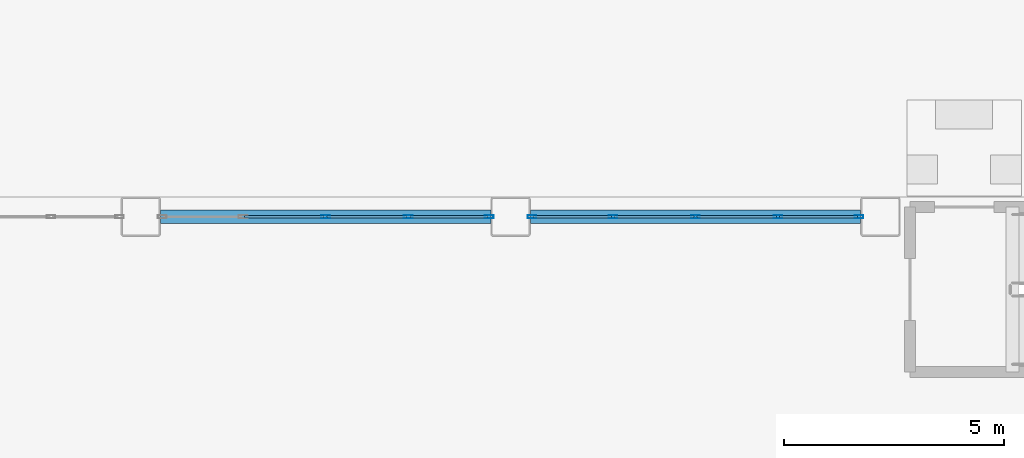
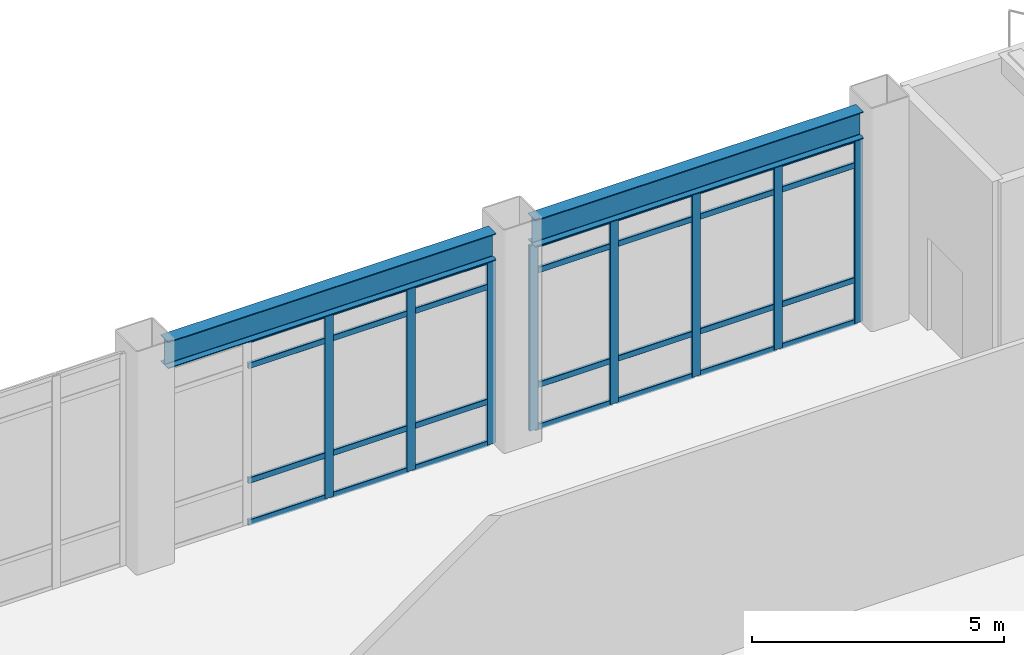
# One storey, part 68 of 165: 36 members, 2 beams, 2 elements without a shape of their own.
"""IFC4 building model written with IfcOpenShell, lengths in metres."""

from ifc_helpers import new_model, si_unit, direction, frame, origin, origin_2d, place, context, subcontext, project, spatial, hollow_rectangle, i_section, extrude, material, layer, layer_set, material_profile, profile_set, type_object, element, aggregate, save


model = new_model("IFC4")

# Units and contexts
model_context = context("Model", 3, precision=1e-05, world=origin(), true_north=direction((0.0, 1.0)))
body_context = subcontext(model_context, "Body", "Model", "MODEL_VIEW")
ifc_project = project(units=[si_unit("LENGTHUNIT", "METRE"), si_unit("AREAUNIT", "SQUARE_METRE"), si_unit("VOLUMEUNIT", "CUBIC_METRE"), si_unit("PLANEANGLEUNIT", "RADIAN"), si_unit("MASSUNIT", "GRAM", prefix="KILO")], contexts=[model_context])

# Site, building, storey
site_placement = place(None, origin())
site = spatial("IfcSite", under=ifc_project, at=site_placement, CompositionType="ELEMENT")
building_placement = place(site_placement, origin())
building = spatial("IfcBuilding", under=site, at=building_placement, Name="Kazehara Bluff Congress Hotel", CompositionType="ELEMENT")
storey_placement = place(building_placement, origin())
storey = spatial("IfcBuildingStorey", under=building, at=storey_placement, Name="L00", CompositionType="ELEMENT", Elevation=0.0)

# Curtain wall, members
ifc_material_1 = material(Name="Anodised aluminium", Category="aluminium")
ifc_layer = layer(ifc_material_1, 0.159912109375)
ifc_layer_set = layer_set([ifc_layer], Name="Anodised aluminium")
curtain_wall_type = type_object("IfcCurtainWallType", Name="TP-CW-05", PredefinedType="NOTDEFINED", material=ifc_layer_set)
curtain_wall_1_placement = place(storey_placement, origin())
curtain_wall_1 = element("IfcCurtainWall", 1, at=curtain_wall_1_placement, inside=storey, type_object=curtain_wall_type, Name="L00 curtain wall CW-05 CW-V1-L00-Y11355-2565", PredefinedType="NOTDEFINED")
ifc_material_2 = material(Name="Anodised aluminium", Category="aluminium")
ifc_material_profile_1 = material_profile(ifc_material_2, hollow_rectangle(XDim=0.070068359375, YDim=0.199951171875, WallThickness=0.0048828125, InnerFilletRadius=0.0048828125, OuterFilletRadius=0.010009765625, at=origin_2d()))
ifc_profile_set_1 = profile_set([ifc_material_profile_1], Name="Anodised aluminium")
member_type_1 = type_object("IfcMemberType", Name="TP-CWM-03", PredefinedType="MULLION", material=ifc_profile_set_1)
member_1_placement = place(storey_placement, frame((29.39990234375, 113.550048828125, 0.0), z_axis=(0.0, 0.0, 1.0), x_axis=(0.0, 1.0, 0.0)))
member_1 = element("IfcMember", 2, at=member_1_placement, type_object=member_type_1, Name="CW-05 mullion 3", PredefinedType="MULLION", context=body_context, shape_type="SweptSolid", body=[
    extrude(hollow_rectangle(XDim=0.070068359375, YDim=0.199951171875, WallThickness=0.0048828125, InnerFilletRadius=0.0048828125, OuterFilletRadius=0.010009765625, at=origin_2d()), origin(), (0.0, 0.0, 1.0), 4.47509765625),
])
member_2_placement = place(storey_placement, frame((31.27490234375, 113.550048828125, 0.0), z_axis=(0.0, 0.0, 1.0), x_axis=(0.0, 1.0, 0.0)))
member_2 = element("IfcMember", 3, at=member_2_placement, type_object=member_type_1, Name="CW-05 mullion 4", PredefinedType="MULLION", context=body_context, shape_type="SweptSolid", body=[
    extrude(hollow_rectangle(XDim=0.070068359375, YDim=0.199951171875, WallThickness=0.0048828125, InnerFilletRadius=0.0048828125, OuterFilletRadius=0.010009765625, at=origin_2d()), origin(), (0.0, 0.0, 1.0), 4.47509765625),
])
member_3_placement = place(storey_placement, frame((33.114990234375, 113.550048828125, 0.0), z_axis=(0.0, 0.0, 1.0), x_axis=(0.0, 1.0, 0.0)))
member_3 = element("IfcMember", 4, at=member_3_placement, type_object=member_type_1, Name="CW-05 mullion 5", PredefinedType="MULLION", context=body_context, shape_type="SweptSolid", body=[
    extrude(hollow_rectangle(XDim=0.070068359375, YDim=0.199951171875, WallThickness=0.0048828125, InnerFilletRadius=0.0048828125, OuterFilletRadius=0.010009765625, at=origin_2d()), origin(), (0.0, 0.0, 1.0), 4.47509765625),
])

curtain_wall_2_placement = place(storey_placement, origin())
curtain_wall_2 = element("IfcCurtainWall", 5, at=curtain_wall_2_placement, inside=storey, type_object=curtain_wall_type, Name="L00 curtain wall CW-05 CW-V1-L00-Y11355-3405", PredefinedType="NOTDEFINED")
member_4_placement = place(storey_placement, frame((34.0849609375, 113.550048828125, 0.0), z_axis=(0.0, 0.0, 1.0), x_axis=(0.0, 1.0, 0.0)))
member_4 = element("IfcMember", 6, at=member_4_placement, type_object=member_type_1, Name="CW-05 mullion 1", PredefinedType="MULLION", context=body_context, shape_type="SweptSolid", body=[
    extrude(hollow_rectangle(XDim=0.070068359375, YDim=0.199951171875, WallThickness=0.0048828125, InnerFilletRadius=0.0048828125, OuterFilletRadius=0.010009765625, at=origin_2d()), origin(), (0.0, 0.0, 1.0), 4.47509765625),
])
member_5_placement = place(storey_placement, frame((35.925048828125, 113.550048828125, 0.0), z_axis=(0.0, 0.0, 1.0), x_axis=(0.0, 1.0, 0.0)))
member_5 = element("IfcMember", 7, at=member_5_placement, type_object=member_type_1, Name="CW-05 mullion 2", PredefinedType="MULLION", context=body_context, shape_type="SweptSolid", body=[
    extrude(hollow_rectangle(XDim=0.070068359375, YDim=0.199951171875, WallThickness=0.0048828125, InnerFilletRadius=0.0048828125, OuterFilletRadius=0.010009765625, at=origin_2d()), origin(), (0.0, 0.0, 1.0), 4.47509765625),
])
member_6_placement = place(storey_placement, frame((37.800048828125, 113.550048828125, 0.0), z_axis=(0.0, 0.0, 1.0), x_axis=(0.0, 1.0, 0.0)))
member_6 = element("IfcMember", 8, at=member_6_placement, type_object=member_type_1, Name="CW-05 mullion 3", PredefinedType="MULLION", context=body_context, shape_type="SweptSolid", body=[
    extrude(hollow_rectangle(XDim=0.070068359375, YDim=0.199951171875, WallThickness=0.0048828125, InnerFilletRadius=0.0048828125, OuterFilletRadius=0.010009765625, at=origin_2d()), origin(), (0.0, 0.0, 1.0), 4.47509765625),
])
member_7_placement = place(storey_placement, frame((39.675048828125, 113.550048828125, 0.0), z_axis=(0.0, 0.0, 1.0), x_axis=(0.0, 1.0, 0.0)))
member_7 = element("IfcMember", 9, at=member_7_placement, type_object=member_type_1, Name="CW-05 mullion 4", PredefinedType="MULLION", context=body_context, shape_type="SweptSolid", body=[
    extrude(hollow_rectangle(XDim=0.070068359375, YDim=0.199951171875, WallThickness=0.0048828125, InnerFilletRadius=0.0048828125, OuterFilletRadius=0.010009765625, at=origin_2d()), origin(), (0.0, 0.0, 1.0), 4.47509765625),
])
member_8_placement = place(storey_placement, frame((41.514892578125, 113.550048828125, 0.0), z_axis=(0.0, 0.0, 1.0), x_axis=(0.0, 1.0, 0.0)))
member_8 = element("IfcMember", 10, at=member_8_placement, type_object=member_type_1, Name="CW-05 mullion 5", PredefinedType="MULLION", context=body_context, shape_type="SweptSolid", body=[
    extrude(hollow_rectangle(XDim=0.070068359375, YDim=0.199951171875, WallThickness=0.0048828125, InnerFilletRadius=0.0048828125, OuterFilletRadius=0.010009765625, at=origin_2d()), origin(), (0.0, 0.0, 1.0), 4.47509765625),
])

# Member
ifc_material_3 = material(Name="Anodised aluminium", Category="aluminium")
ifc_material_profile_2 = material_profile(ifc_material_3, hollow_rectangle(XDim=0.06494140625, YDim=0.139892578125, WallThickness=0.00390625, InnerFilletRadius=0.00390625, OuterFilletRadius=0.008056640625, at=origin_2d()))
ifc_profile_set_2 = profile_set([ifc_material_profile_2], Name="Anodised aluminium")
member_type_2 = type_object("IfcMemberType", Name="TP-CWT-02", PredefinedType="USERDEFINED", material=ifc_profile_set_2)
member_9_placement = place(storey_placement, frame((27.56005859375, 113.550048828125, 0.032470703125), z_axis=(1.0, 0.0, 0.0), x_axis=(0.0, 1.0, 0.0)))
member_9 = element("IfcMember", 11, at=member_9_placement, type_object=member_type_2, Name="CW-05 transom 2.1", ObjectType="TRANSOM", PredefinedType="USERDEFINED", context=body_context, shape_type="SweptSolid", body=[
    extrude(hollow_rectangle(XDim=0.06494140625, YDim=0.139892578125, WallThickness=0.00390625, InnerFilletRadius=0.00390625, OuterFilletRadius=0.008056640625, at=origin_2d()), origin(), (0.0, 0.0, 1.0), 1.804931640625),
])

member_10_placement = place(storey_placement, frame((27.56005859375, 113.550048828125, 1.050048828125), z_axis=(1.0, 0.0, 0.0), x_axis=(0.0, 1.0, 0.0)))
member_10 = element("IfcMember", 12, at=member_10_placement, type_object=member_type_2, Name="CW-05 transom 2.2", ObjectType="TRANSOM", PredefinedType="USERDEFINED", context=body_context, shape_type="SweptSolid", body=[
    extrude(hollow_rectangle(XDim=0.06494140625, YDim=0.139892578125, WallThickness=0.00390625, InnerFilletRadius=0.00390625, OuterFilletRadius=0.008056640625, at=origin_2d()), origin(), (0.0, 0.0, 1.0), 1.804931640625),
])

member_11_placement = place(storey_placement, frame((27.56005859375, 113.550048828125, 3.824951171875), z_axis=(1.0, 0.0, 0.0), x_axis=(0.0, 1.0, 0.0)))
member_11 = element("IfcMember", 13, at=member_11_placement, type_object=member_type_2, Name="CW-05 transom 2.3", ObjectType="TRANSOM", PredefinedType="USERDEFINED", context=body_context, shape_type="SweptSolid", body=[
    extrude(hollow_rectangle(XDim=0.06494140625, YDim=0.139892578125, WallThickness=0.00390625, InnerFilletRadius=0.00390625, OuterFilletRadius=0.008056640625, at=origin_2d()), origin(), (0.0, 0.0, 1.0), 1.804931640625),
])

member_12_placement = place(storey_placement, frame((27.56005859375, 113.550048828125, 4.4423828125), z_axis=(1.0, 0.0, 0.0), x_axis=(0.0, 1.0, 0.0)))
member_12 = element("IfcMember", 14, at=member_12_placement, type_object=member_type_2, Name="CW-05 transom 2.4", ObjectType="TRANSOM", PredefinedType="USERDEFINED", context=body_context, shape_type="SweptSolid", body=[
    extrude(hollow_rectangle(XDim=0.06494140625, YDim=0.139892578125, WallThickness=0.00390625, InnerFilletRadius=0.00390625, OuterFilletRadius=0.008056640625, at=origin_2d()), origin(), (0.0, 0.0, 1.0), 1.804931640625),
])

member_13_placement = place(storey_placement, frame((29.43505859375, 113.550048828125, 0.032470703125), z_axis=(1.0, 0.0, 0.0), x_axis=(0.0, 1.0, 0.0)))
member_13 = element("IfcMember", 15, at=member_13_placement, type_object=member_type_2, Name="CW-05 transom 3.1", ObjectType="TRANSOM", PredefinedType="USERDEFINED", context=body_context, shape_type="SweptSolid", body=[
    extrude(hollow_rectangle(XDim=0.06494140625, YDim=0.139892578125, WallThickness=0.00390625, InnerFilletRadius=0.00390625, OuterFilletRadius=0.008056640625, at=origin_2d()), origin(), (0.0, 0.0, 1.0), 1.804931640625),
])

member_14_placement = place(storey_placement, frame((29.43505859375, 113.550048828125, 1.050048828125), z_axis=(1.0, 0.0, 0.0), x_axis=(0.0, 1.0, 0.0)))
member_14 = element("IfcMember", 16, at=member_14_placement, type_object=member_type_2, Name="CW-05 transom 3.2", ObjectType="TRANSOM", PredefinedType="USERDEFINED", context=body_context, shape_type="SweptSolid", body=[
    extrude(hollow_rectangle(XDim=0.06494140625, YDim=0.139892578125, WallThickness=0.00390625, InnerFilletRadius=0.00390625, OuterFilletRadius=0.008056640625, at=origin_2d()), origin(), (0.0, 0.0, 1.0), 1.804931640625),
])

member_15_placement = place(storey_placement, frame((29.43505859375, 113.550048828125, 3.824951171875), z_axis=(1.0, 0.0, 0.0), x_axis=(0.0, 1.0, 0.0)))
member_15 = element("IfcMember", 17, at=member_15_placement, type_object=member_type_2, Name="CW-05 transom 3.3", ObjectType="TRANSOM", PredefinedType="USERDEFINED", context=body_context, shape_type="SweptSolid", body=[
    extrude(hollow_rectangle(XDim=0.06494140625, YDim=0.139892578125, WallThickness=0.00390625, InnerFilletRadius=0.00390625, OuterFilletRadius=0.008056640625, at=origin_2d()), origin(), (0.0, 0.0, 1.0), 1.804931640625),
])

member_16_placement = place(storey_placement, frame((29.43505859375, 113.550048828125, 4.4423828125), z_axis=(1.0, 0.0, 0.0), x_axis=(0.0, 1.0, 0.0)))
member_16 = element("IfcMember", 18, at=member_16_placement, type_object=member_type_2, Name="CW-05 transom 3.4", ObjectType="TRANSOM", PredefinedType="USERDEFINED", context=body_context, shape_type="SweptSolid", body=[
    extrude(hollow_rectangle(XDim=0.06494140625, YDim=0.139892578125, WallThickness=0.00390625, InnerFilletRadius=0.00390625, OuterFilletRadius=0.008056640625, at=origin_2d()), origin(), (0.0, 0.0, 1.0), 1.804931640625),
])

member_17_placement = place(storey_placement, frame((31.31005859375, 113.550048828125, 0.032470703125), z_axis=(1.0, 0.0, 0.0), x_axis=(0.0, 1.0, 0.0)))
member_17 = element("IfcMember", 19, at=member_17_placement, type_object=member_type_2, Name="CW-05 transom 4.1", ObjectType="TRANSOM", PredefinedType="USERDEFINED", context=body_context, shape_type="SweptSolid", body=[
    extrude(hollow_rectangle(XDim=0.06494140625, YDim=0.139892578125, WallThickness=0.00390625, InnerFilletRadius=0.00390625, OuterFilletRadius=0.008056640625, at=origin_2d()), origin(), (0.0, 0.0, 1.0), 1.77001953125),
])

member_18_placement = place(storey_placement, frame((31.31005859375, 113.550048828125, 1.050048828125), z_axis=(1.0, 0.0, 0.0), x_axis=(0.0, 1.0, 0.0)))
member_18 = element("IfcMember", 20, at=member_18_placement, type_object=member_type_2, Name="CW-05 transom 4.2", ObjectType="TRANSOM", PredefinedType="USERDEFINED", context=body_context, shape_type="SweptSolid", body=[
    extrude(hollow_rectangle(XDim=0.06494140625, YDim=0.139892578125, WallThickness=0.00390625, InnerFilletRadius=0.00390625, OuterFilletRadius=0.008056640625, at=origin_2d()), origin(), (0.0, 0.0, 1.0), 1.77001953125),
])

member_19_placement = place(storey_placement, frame((31.31005859375, 113.550048828125, 3.824951171875), z_axis=(1.0, 0.0, 0.0), x_axis=(0.0, 1.0, 0.0)))
member_19 = element("IfcMember", 21, at=member_19_placement, type_object=member_type_2, Name="CW-05 transom 4.3", ObjectType="TRANSOM", PredefinedType="USERDEFINED", context=body_context, shape_type="SweptSolid", body=[
    extrude(hollow_rectangle(XDim=0.06494140625, YDim=0.139892578125, WallThickness=0.00390625, InnerFilletRadius=0.00390625, OuterFilletRadius=0.008056640625, at=origin_2d()), origin(), (0.0, 0.0, 1.0), 1.77001953125),
])

member_20_placement = place(storey_placement, frame((31.31005859375, 113.550048828125, 4.4423828125), z_axis=(1.0, 0.0, 0.0), x_axis=(0.0, 1.0, 0.0)))
member_20 = element("IfcMember", 22, at=member_20_placement, type_object=member_type_2, Name="CW-05 transom 4.4", ObjectType="TRANSOM", PredefinedType="USERDEFINED", context=body_context, shape_type="SweptSolid", body=[
    extrude(hollow_rectangle(XDim=0.06494140625, YDim=0.139892578125, WallThickness=0.00390625, InnerFilletRadius=0.00390625, OuterFilletRadius=0.008056640625, at=origin_2d()), origin(), (0.0, 0.0, 1.0), 1.77001953125),
])

aggregate(curtain_wall_1, [member_1, member_2, member_3, member_9, member_10, member_11, member_12, member_13, member_14, member_15, member_16, member_17, member_18, member_19, member_20])

member_21_placement = place(storey_placement, frame((34.1201171875, 113.550048828125, 0.032470703125), z_axis=(1.0, 0.0, 0.0), x_axis=(0.0, 1.0, 0.0)))
member_21 = element("IfcMember", 23, at=member_21_placement, type_object=member_type_2, Name="CW-05 transom 1.1", ObjectType="TRANSOM", PredefinedType="USERDEFINED", context=body_context, shape_type="SweptSolid", body=[
    extrude(hollow_rectangle(XDim=0.06494140625, YDim=0.139892578125, WallThickness=0.00390625, InnerFilletRadius=0.00390625, OuterFilletRadius=0.008056640625, at=origin_2d()), origin(), (0.0, 0.0, 1.0), 1.769775390625),
])

member_22_placement = place(storey_placement, frame((34.1201171875, 113.550048828125, 1.050048828125), z_axis=(1.0, 0.0, 0.0), x_axis=(0.0, 1.0, 0.0)))
member_22 = element("IfcMember", 24, at=member_22_placement, type_object=member_type_2, Name="CW-05 transom 1.2", ObjectType="TRANSOM", PredefinedType="USERDEFINED", context=body_context, shape_type="SweptSolid", body=[
    extrude(hollow_rectangle(XDim=0.06494140625, YDim=0.139892578125, WallThickness=0.00390625, InnerFilletRadius=0.00390625, OuterFilletRadius=0.008056640625, at=origin_2d()), origin(), (0.0, 0.0, 1.0), 1.769775390625),
])

member_23_placement = place(storey_placement, frame((34.1201171875, 113.550048828125, 3.824951171875), z_axis=(1.0, 0.0, 0.0), x_axis=(0.0, 1.0, 0.0)))
member_23 = element("IfcMember", 25, at=member_23_placement, type_object=member_type_2, Name="CW-05 transom 1.3", ObjectType="TRANSOM", PredefinedType="USERDEFINED", context=body_context, shape_type="SweptSolid", body=[
    extrude(hollow_rectangle(XDim=0.06494140625, YDim=0.139892578125, WallThickness=0.00390625, InnerFilletRadius=0.00390625, OuterFilletRadius=0.008056640625, at=origin_2d()), origin(), (0.0, 0.0, 1.0), 1.769775390625),
])

member_24_placement = place(storey_placement, frame((34.1201171875, 113.550048828125, 4.4423828125), z_axis=(1.0, 0.0, 0.0), x_axis=(0.0, 1.0, 0.0)))
member_24 = element("IfcMember", 26, at=member_24_placement, type_object=member_type_2, Name="CW-05 transom 1.4", ObjectType="TRANSOM", PredefinedType="USERDEFINED", context=body_context, shape_type="SweptSolid", body=[
    extrude(hollow_rectangle(XDim=0.06494140625, YDim=0.139892578125, WallThickness=0.00390625, InnerFilletRadius=0.00390625, OuterFilletRadius=0.008056640625, at=origin_2d()), origin(), (0.0, 0.0, 1.0), 1.769775390625),
])

member_25_placement = place(storey_placement, frame((35.9599609375, 113.550048828125, 0.032470703125), z_axis=(1.0, 0.0, 0.0), x_axis=(0.0, 1.0, 0.0)))
member_25 = element("IfcMember", 27, at=member_25_placement, type_object=member_type_2, Name="CW-05 transom 2.1", ObjectType="TRANSOM", PredefinedType="USERDEFINED", context=body_context, shape_type="SweptSolid", body=[
    extrude(hollow_rectangle(XDim=0.06494140625, YDim=0.139892578125, WallThickness=0.00390625, InnerFilletRadius=0.00390625, OuterFilletRadius=0.008056640625, at=origin_2d()), origin(), (0.0, 0.0, 1.0), 1.804931640625),
])

member_26_placement = place(storey_placement, frame((35.9599609375, 113.550048828125, 1.050048828125), z_axis=(1.0, 0.0, 0.0), x_axis=(0.0, 1.0, 0.0)))
member_26 = element("IfcMember", 28, at=member_26_placement, type_object=member_type_2, Name="CW-05 transom 2.2", ObjectType="TRANSOM", PredefinedType="USERDEFINED", context=body_context, shape_type="SweptSolid", body=[
    extrude(hollow_rectangle(XDim=0.06494140625, YDim=0.139892578125, WallThickness=0.00390625, InnerFilletRadius=0.00390625, OuterFilletRadius=0.008056640625, at=origin_2d()), origin(), (0.0, 0.0, 1.0), 1.804931640625),
])

member_27_placement = place(storey_placement, frame((35.9599609375, 113.550048828125, 3.824951171875), z_axis=(1.0, 0.0, 0.0), x_axis=(0.0, 1.0, 0.0)))
member_27 = element("IfcMember", 29, at=member_27_placement, type_object=member_type_2, Name="CW-05 transom 2.3", ObjectType="TRANSOM", PredefinedType="USERDEFINED", context=body_context, shape_type="SweptSolid", body=[
    extrude(hollow_rectangle(XDim=0.06494140625, YDim=0.139892578125, WallThickness=0.00390625, InnerFilletRadius=0.00390625, OuterFilletRadius=0.008056640625, at=origin_2d()), origin(), (0.0, 0.0, 1.0), 1.804931640625),
])

member_28_placement = place(storey_placement, frame((35.9599609375, 113.550048828125, 4.4423828125), z_axis=(1.0, 0.0, 0.0), x_axis=(0.0, 1.0, 0.0)))
member_28 = element("IfcMember", 30, at=member_28_placement, type_object=member_type_2, Name="CW-05 transom 2.4", ObjectType="TRANSOM", PredefinedType="USERDEFINED", context=body_context, shape_type="SweptSolid", body=[
    extrude(hollow_rectangle(XDim=0.06494140625, YDim=0.139892578125, WallThickness=0.00390625, InnerFilletRadius=0.00390625, OuterFilletRadius=0.008056640625, at=origin_2d()), origin(), (0.0, 0.0, 1.0), 1.804931640625),
])

member_29_placement = place(storey_placement, frame((37.8349609375, 113.550048828125, 0.032470703125), z_axis=(1.0, 0.0, 0.0), x_axis=(0.0, 1.0, 0.0)))
member_29 = element("IfcMember", 31, at=member_29_placement, type_object=member_type_2, Name="CW-05 transom 3.1", ObjectType="TRANSOM", PredefinedType="USERDEFINED", context=body_context, shape_type="SweptSolid", body=[
    extrude(hollow_rectangle(XDim=0.06494140625, YDim=0.139892578125, WallThickness=0.00390625, InnerFilletRadius=0.00390625, OuterFilletRadius=0.008056640625, at=origin_2d()), origin(), (0.0, 0.0, 1.0), 1.804931640625),
])

member_30_placement = place(storey_placement, frame((37.8349609375, 113.550048828125, 1.050048828125), z_axis=(1.0, 0.0, 0.0), x_axis=(0.0, 1.0, 0.0)))
member_30 = element("IfcMember", 32, at=member_30_placement, type_object=member_type_2, Name="CW-05 transom 3.2", ObjectType="TRANSOM", PredefinedType="USERDEFINED", context=body_context, shape_type="SweptSolid", body=[
    extrude(hollow_rectangle(XDim=0.06494140625, YDim=0.139892578125, WallThickness=0.00390625, InnerFilletRadius=0.00390625, OuterFilletRadius=0.008056640625, at=origin_2d()), origin(), (0.0, 0.0, 1.0), 1.804931640625),
])

member_31_placement = place(storey_placement, frame((37.8349609375, 113.550048828125, 3.824951171875), z_axis=(1.0, 0.0, 0.0), x_axis=(0.0, 1.0, 0.0)))
member_31 = element("IfcMember", 33, at=member_31_placement, type_object=member_type_2, Name="CW-05 transom 3.3", ObjectType="TRANSOM", PredefinedType="USERDEFINED", context=body_context, shape_type="SweptSolid", body=[
    extrude(hollow_rectangle(XDim=0.06494140625, YDim=0.139892578125, WallThickness=0.00390625, InnerFilletRadius=0.00390625, OuterFilletRadius=0.008056640625, at=origin_2d()), origin(), (0.0, 0.0, 1.0), 1.804931640625),
])

member_32_placement = place(storey_placement, frame((37.8349609375, 113.550048828125, 4.4423828125), z_axis=(1.0, 0.0, 0.0), x_axis=(0.0, 1.0, 0.0)))
member_32 = element("IfcMember", 34, at=member_32_placement, type_object=member_type_2, Name="CW-05 transom 3.4", ObjectType="TRANSOM", PredefinedType="USERDEFINED", context=body_context, shape_type="SweptSolid", body=[
    extrude(hollow_rectangle(XDim=0.06494140625, YDim=0.139892578125, WallThickness=0.00390625, InnerFilletRadius=0.00390625, OuterFilletRadius=0.008056640625, at=origin_2d()), origin(), (0.0, 0.0, 1.0), 1.804931640625),
])

member_33_placement = place(storey_placement, frame((39.7099609375, 113.550048828125, 0.032470703125), z_axis=(1.0, 0.0, 0.0), x_axis=(0.0, 1.0, 0.0)))
member_33 = element("IfcMember", 35, at=member_33_placement, type_object=member_type_2, Name="CW-05 transom 4.1", ObjectType="TRANSOM", PredefinedType="USERDEFINED", context=body_context, shape_type="SweptSolid", body=[
    extrude(hollow_rectangle(XDim=0.06494140625, YDim=0.139892578125, WallThickness=0.00390625, InnerFilletRadius=0.00390625, OuterFilletRadius=0.008056640625, at=origin_2d()), origin(), (0.0, 0.0, 1.0), 1.77001953125),
])

member_34_placement = place(storey_placement, frame((39.7099609375, 113.550048828125, 1.050048828125), z_axis=(1.0, 0.0, 0.0), x_axis=(0.0, 1.0, 0.0)))
member_34 = element("IfcMember", 36, at=member_34_placement, type_object=member_type_2, Name="CW-05 transom 4.2", ObjectType="TRANSOM", PredefinedType="USERDEFINED", context=body_context, shape_type="SweptSolid", body=[
    extrude(hollow_rectangle(XDim=0.06494140625, YDim=0.139892578125, WallThickness=0.00390625, InnerFilletRadius=0.00390625, OuterFilletRadius=0.008056640625, at=origin_2d()), origin(), (0.0, 0.0, 1.0), 1.77001953125),
])

member_35_placement = place(storey_placement, frame((39.7099609375, 113.550048828125, 3.824951171875), z_axis=(1.0, 0.0, 0.0), x_axis=(0.0, 1.0, 0.0)))
member_35 = element("IfcMember", 37, at=member_35_placement, type_object=member_type_2, Name="CW-05 transom 4.3", ObjectType="TRANSOM", PredefinedType="USERDEFINED", context=body_context, shape_type="SweptSolid", body=[
    extrude(hollow_rectangle(XDim=0.06494140625, YDim=0.139892578125, WallThickness=0.00390625, InnerFilletRadius=0.00390625, OuterFilletRadius=0.008056640625, at=origin_2d()), origin(), (0.0, 0.0, 1.0), 1.77001953125),
])

member_36_placement = place(storey_placement, frame((39.7099609375, 113.550048828125, 4.4423828125), z_axis=(1.0, 0.0, 0.0), x_axis=(0.0, 1.0, 0.0)))
member_36 = element("IfcMember", 38, at=member_36_placement, type_object=member_type_2, Name="CW-05 transom 4.4", ObjectType="TRANSOM", PredefinedType="USERDEFINED", context=body_context, shape_type="SweptSolid", body=[
    extrude(hollow_rectangle(XDim=0.06494140625, YDim=0.139892578125, WallThickness=0.00390625, InnerFilletRadius=0.00390625, OuterFilletRadius=0.008056640625, at=origin_2d()), origin(), (0.0, 0.0, 1.0), 1.77001953125),
])

aggregate(curtain_wall_2, [member_4, member_5, member_6, member_7, member_8, member_21, member_22, member_23, member_24, member_25, member_26, member_27, member_28, member_29, member_30, member_31, member_32, member_33, member_34, member_35, member_36])

# Beams
ifc_material_4 = material(Name="Steel SN490B", Category="steel")
ifc_material_profile_3 = material_profile(ifc_material_4, i_section(OverallWidth=0.300048828125, OverallDepth=0.64990234375, WebThickness=0.011962890625, FlangeThickness=0.02001953125, FilletRadius=0.012939453125, at=origin_2d()))
ifc_profile_set_3 = profile_set([ifc_material_profile_3], Name="Steel SN490B")
beam_type = type_object("IfcBeamType", Name="TP-G-03", PredefinedType="BEAM", material=ifc_profile_set_3)
for number, where, z_axis, x_axis, name in (
    (39, (25.64990234375, 113.550048828125, 4.824951171875), (1.0, 0.0, 0.0), (0.0, 1.0, 0.0), "L00 girder G-03 39"),
    (40, (34.050048828125, 113.550048828125, 4.824951171875), (1.0, 0.0, 0.0), (0.0, 1.0, 0.0), "L00 girder G-03 40"),
):
    element("IfcBeam", number, at=place(storey_placement, frame(where, z_axis=z_axis, x_axis=x_axis)), inside=storey, type_object=beam_type, Name=name, PredefinedType="BEAM", context=body_context, shape_type="SweptSolid", body=[
        extrude(i_section(OverallWidth=0.300048828125, OverallDepth=0.64990234375, WebThickness=0.011962890625, FlangeThickness=0.02001953125, FilletRadius=0.012939453125, at=origin_2d()), origin(), (0.0, 0.0, 1.0), 7.5),
    ])

save(model, "model.ifc")
